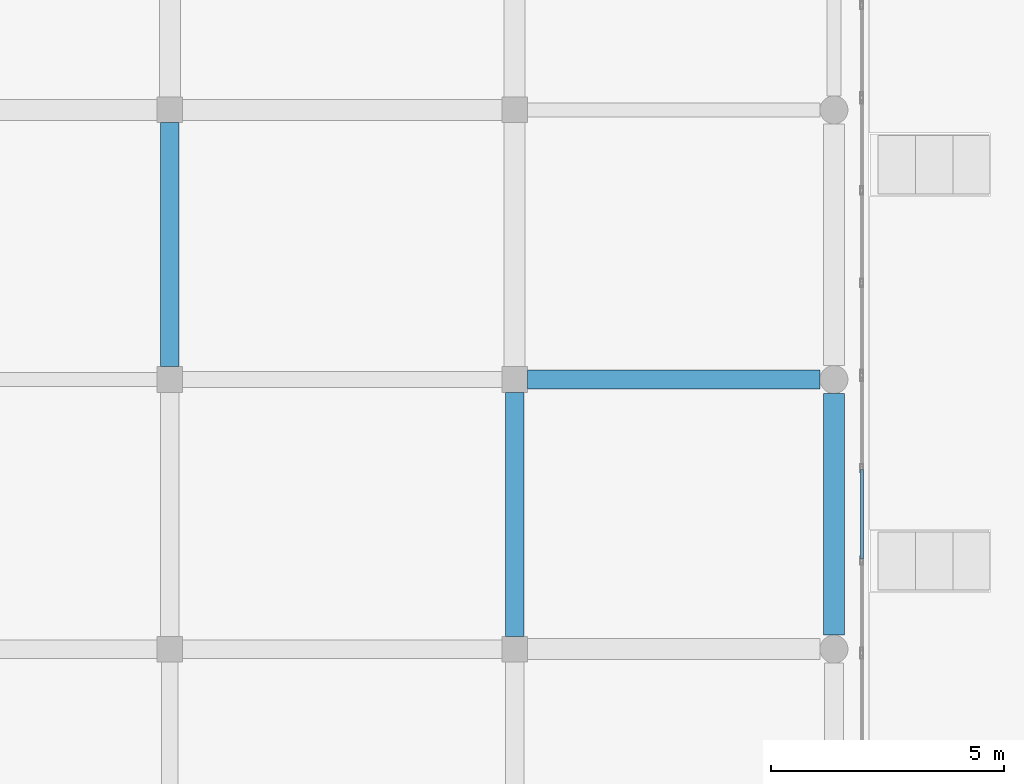
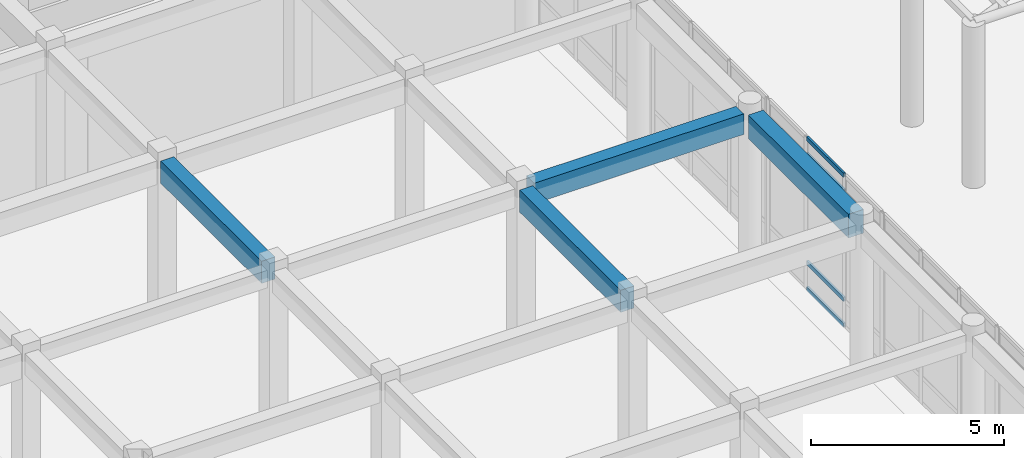
# One storey, part 37 of 121: 4 beams, 4 members, 1 element without a shape of its own.
"""IFC4 building model written with IfcOpenShell, lengths in metres."""

from ifc_helpers import new_model, si_unit, direction, frame, origin, origin_2d, place, context, subcontext, project, spatial, rectangle, hollow_rectangle, extrude, material, layer, layer_set, material_profile, profile_set, type_object, element, aggregate, save


model = new_model("IFC4")

# Units and contexts
model_context = context("Model", 3, precision=1e-05, world=origin(), true_north=direction((0.0, 1.0)))
body_context = subcontext(model_context, "Body", "Model", "MODEL_VIEW")
ifc_project = project(units=[si_unit("LENGTHUNIT", "METRE"), si_unit("AREAUNIT", "SQUARE_METRE"), si_unit("VOLUMEUNIT", "CUBIC_METRE"), si_unit("PLANEANGLEUNIT", "RADIAN"), si_unit("MASSUNIT", "GRAM", prefix="KILO")], contexts=[model_context])

# Site, building, storey
site_placement = place(None, origin())
site = spatial("IfcSite", under=ifc_project, at=site_placement, CompositionType="ELEMENT")
building_placement = place(site_placement, origin())
building = spatial("IfcBuilding", under=site, at=building_placement, Name="Valcora Specialist Clinic", CompositionType="ELEMENT")
storey_placement = place(building_placement, origin())
storey = spatial("IfcBuildingStorey", under=building, at=storey_placement, Name="L00", CompositionType="ELEMENT", Elevation=0.0)

# Beams
ifc_material_1 = material(Name="Concrete C40/50", Category="concrete")
ifc_material_profile_1 = material_profile(ifc_material_1, rectangle(XDim=0.39990234375, YDim=0.64990234375, at=origin_2d()), Name="RC-BM-400X650")
ifc_profile_set_1 = profile_set([ifc_material_profile_1], Name="Concrete C40/50")
beam_type_1 = type_object("IfcBeamType", Name="TY-BM-RC400X650", PredefinedType="BEAM", material=ifc_profile_set_1)
beam_1_placement = place(storey_placement, frame((22.675048828125, 61.89306640625, 4.485107421875), z_axis=(1.0, 0.0, 0.0), x_axis=(0.0, 1.0, 0.0)))
element("IfcBeam", 1, at=beam_1_placement, inside=storey, type_object=beam_type_1, Name="Beam BM-L00-0087", PredefinedType="BEAM", context=body_context, shape_type="SweptSolid", body=[
    extrude(rectangle(XDim=0.39990234375, YDim=0.64990234375, at=origin_2d()), origin(), (0.0, 0.0, 1.0), 6.27490234375),
])
ifc_material_profile_2 = material_profile(ifc_material_1, rectangle(XDim=0.39990234375, YDim=0.699951171875, at=origin_2d()), Name="RC-BM-400X700")
ifc_profile_set_2 = profile_set([ifc_material_profile_2], Name="Concrete C40/50")
beam_type_2 = type_object("IfcBeamType", Name="TY-BM-RC400X700", PredefinedType="BEAM", material=ifc_profile_set_2)
beam_2_placement = place(storey_placement, frame((15.0, 62.16796875, 4.4599609375), z_axis=(0.0, 1.0, 0.0), x_axis=(-1.0, 0.0, 0.0)))
element("IfcBeam", 2, at=beam_2_placement, inside=storey, type_object=beam_type_2, Name="Beam BM-L00-0116", PredefinedType="BEAM", context=body_context, shape_type="SweptSolid", body=[
    extrude(rectangle(XDim=0.39990234375, YDim=0.699951171875, at=origin_2d()), origin(), (0.0, 0.0, 1.0), 5.236083984375),
])
beam_3_placement = place(storey_placement, frame((22.39990234375, 56.382080078125, 4.4599609375), z_axis=(0.0, 1.0, 0.0), x_axis=(-1.0, 0.0, 0.0)))
element("IfcBeam", 3, at=beam_3_placement, inside=storey, type_object=beam_type_2, Name="Beam BM-L00-0122", PredefinedType="BEAM", context=body_context, shape_type="SweptSolid", body=[
    extrude(rectangle(XDim=0.39990234375, YDim=0.699951171875, at=origin_2d()), origin(), (0.0, 0.0, 1.0), 5.23583984375),
])
ifc_material_profile_3 = material_profile(ifc_material_1, rectangle(XDim=0.449951171875, YDim=0.75, at=origin_2d()), Name="RC-BM-450X750")
ifc_profile_set_3 = profile_set([ifc_material_profile_3], Name="Concrete C40/50")
beam_type_3 = type_object("IfcBeamType", Name="TY-BM-RC450X750", PredefinedType="BEAM", material=ifc_profile_set_3)
beam_4_placement = place(storey_placement, frame((29.25, 56.406982421875, 4.43505859375), z_axis=(0.0, 1.0, 0.0), x_axis=(-1.0, 0.0, 0.0)))
element("IfcBeam", 4, at=beam_4_placement, inside=storey, type_object=beam_type_3, Name="Beam BM-L00-0129", PredefinedType="BEAM", context=body_context, shape_type="SweptSolid", body=[
    extrude(rectangle(XDim=0.449951171875, YDim=0.75, at=origin_2d()), origin(), (0.0, 0.0, 1.0), 5.18603515625),
])

# Curtain wall, members
ifc_material_2 = material(Name="Anodized Bronze Aluminium 6063-T6", Category="aluminium")
ifc_layer = layer(ifc_material_2, 0.175048828125)
ifc_layer_set = layer_set([ifc_layer], Name="Anodized Bronze Aluminium 6063-T6")
curtain_wall_type = type_object("IfcCurtainWallType", Name="TY-CW-HAL18", PredefinedType="NOTDEFINED", material=ifc_layer_set)
curtain_wall_placement = place(storey_placement, origin())
curtain_wall = element("IfcCurtainWall", 5, at=curtain_wall_placement, inside=storey, type_object=curtain_wall_type, Name="Curtain wall CW-L00-004", PredefinedType="NOTDEFINED")
ifc_material_profile_4 = material_profile(ifc_material_2, hollow_rectangle(XDim=0.06494140625, YDim=0.1298828125, WallThickness=0.00390625, at=origin_2d()), Name="AL-TRN-65X130")
ifc_profile_set_4 = profile_set([ifc_material_profile_4], Name="Anodized Bronze Aluminium 6063-T6")
member_type = type_object("IfcMemberType", Name="TY-CWT-65X130", PredefinedType="USERDEFINED", material=ifc_profile_set_4)
member_1_placement = place(storey_placement, frame((29.85009765625, 59.96044921875, 0.032470703125), z_axis=(0.0, -1.0, 0.0), x_axis=(1.0, 0.0, 0.0)))
member_1 = element("IfcMember", 6, at=member_1_placement, type_object=member_type, Name="CW-HAL-18 transom 2.1", ObjectType="TRANSOM", PredefinedType="USERDEFINED", context=body_context, shape_type="SweptSolid", body=[
    extrude(hollow_rectangle(XDim=0.06494140625, YDim=0.1298828125, WallThickness=0.00390625, at=origin_2d()), origin(), (0.0, 0.0, 1.0), 1.9208984375),
])
member_2_placement = place(storey_placement, frame((29.85009765625, 59.96044921875, 0.85009765625), z_axis=(0.0, -1.0, 0.0), x_axis=(1.0, 0.0, 0.0)))
member_2 = element("IfcMember", 7, at=member_2_placement, type_object=member_type, Name="CW-HAL-18 transom 2.2", ObjectType="TRANSOM", PredefinedType="USERDEFINED", context=body_context, shape_type="SweptSolid", body=[
    extrude(hollow_rectangle(XDim=0.06494140625, YDim=0.1298828125, WallThickness=0.00390625, at=origin_2d()), origin(), (0.0, 0.0, 1.0), 1.9208984375),
])
member_3_placement = place(storey_placement, frame((29.85009765625, 59.96044921875, 4.260009765625), z_axis=(0.0, -1.0, 0.0), x_axis=(1.0, 0.0, 0.0)))
member_3 = element("IfcMember", 8, at=member_3_placement, type_object=member_type, Name="CW-HAL-18 transom 2.3", ObjectType="TRANSOM", PredefinedType="USERDEFINED", context=body_context, shape_type="SweptSolid", body=[
    extrude(hollow_rectangle(XDim=0.06494140625, YDim=0.1298828125, WallThickness=0.00390625, at=origin_2d()), origin(), (0.0, 0.0, 1.0), 1.9208984375),
])
member_4_placement = place(storey_placement, frame((29.85009765625, 59.96044921875, 4.777587890625), z_axis=(0.0, -1.0, 0.0), x_axis=(1.0, 0.0, 0.0)))
member_4 = element("IfcMember", 9, at=member_4_placement, type_object=member_type, Name="CW-HAL-18 transom 2.4", ObjectType="TRANSOM", PredefinedType="USERDEFINED", context=body_context, shape_type="SweptSolid", body=[
    extrude(hollow_rectangle(XDim=0.06494140625, YDim=0.1298828125, WallThickness=0.00390625, at=origin_2d()), origin(), (0.0, 0.0, 1.0), 1.9208984375),
])
aggregate(curtain_wall, [member_1, member_2, member_3, member_4])

save(model, "model.ifc")
